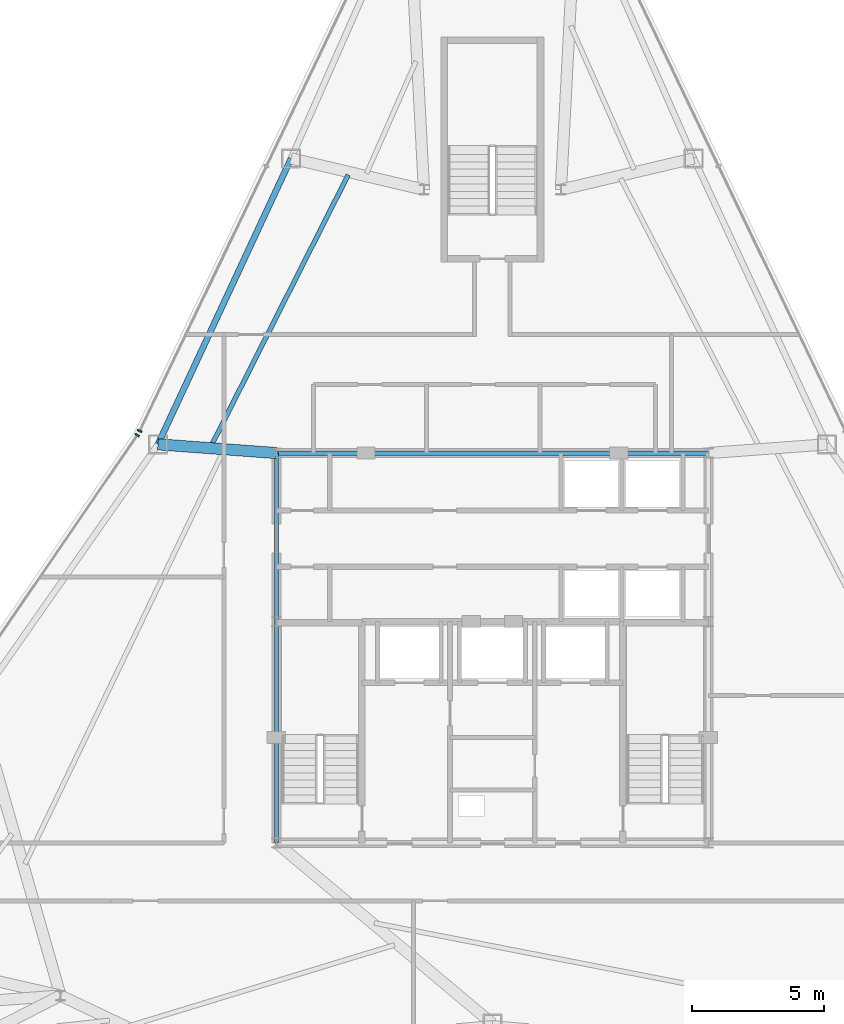
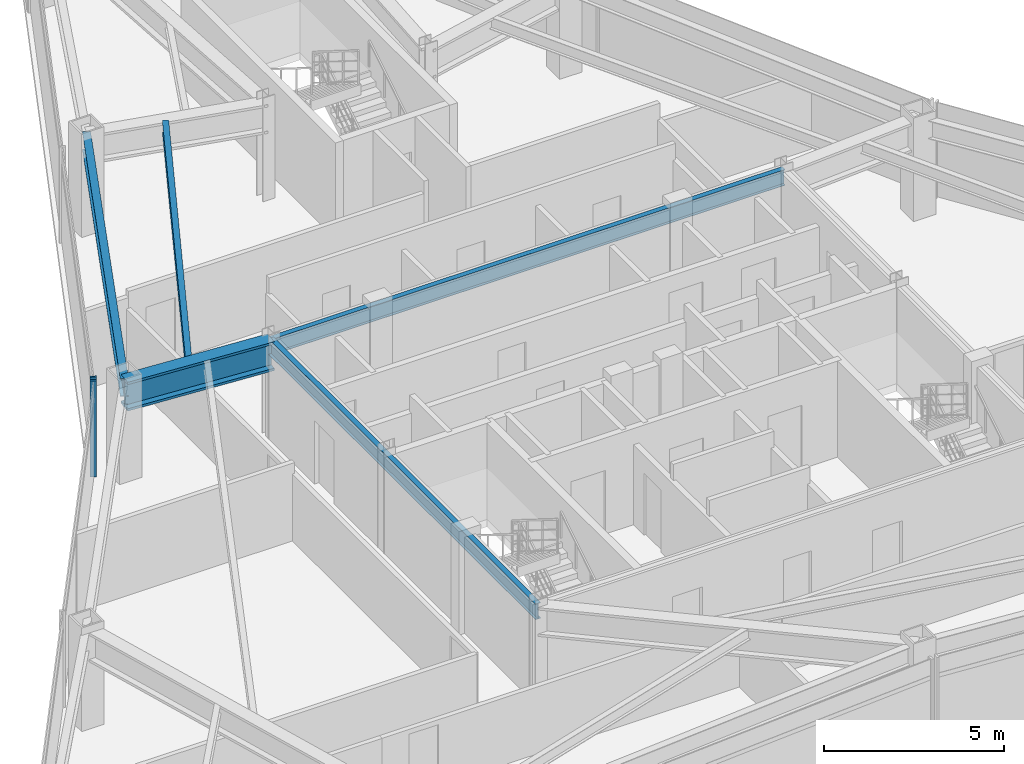
# One storey, part 5 of 12: 5 beams, 2 members, 2 elements without a shape of their own.
"""IFC4 building model written with IfcOpenShell, lengths in metres."""

from ifc_helpers import new_model, si_unit, direction, frame, origin, origin_2d, place, context, subcontext, project, spatial, rectangle, i_section, extrude, source, transform, mapped, material, layer, layer_set, material_profile, profile_set, type_object, type_shapes, element, aggregate, save


model = new_model("IFC4")

# Units and contexts
model_context = context("Model", 3, precision=1e-05, world=origin(), true_north=direction((0.0, 1.0)))
body_context = subcontext(model_context, "Body", "Model", "MODEL_VIEW")
ifc_project = project(units=[si_unit("LENGTHUNIT", "METRE"), si_unit("AREAUNIT", "SQUARE_METRE"), si_unit("VOLUMEUNIT", "CUBIC_METRE"), si_unit("PLANEANGLEUNIT", "RADIAN"), si_unit("MASSUNIT", "GRAM", prefix="KILO")], contexts=[model_context])

# Site, building, storey
site_placement = place(None, origin())
site = spatial("IfcSite", under=ifc_project, at=site_placement, CompositionType="ELEMENT")
building_placement = place(site_placement, origin())
building = spatial("IfcBuilding", under=site, at=building_placement, Name="Varakhsha Concourse Tower", CompositionType="ELEMENT")
storey_placement = place(building_placement, frame((0.0, 0.0, 222.39990234375)))
storey = spatial("IfcBuildingStorey", under=building, at=storey_placement, Name="L63", CompositionType="ELEMENT", Elevation=222.39990234375)

# Beams
ifc_material_1 = material(Name="Structural Steel ASTM A992 Grade 50", Category="steel")
ifc_material_profile_1 = material_profile(ifc_material_1, i_section(OverallWidth=0.177978515625, OverallDepth=0.406982421875, WebThickness=0.008056640625, FlangeThickness=0.012939453125, at=origin_2d()), Name="W16X40")
ifc_profile_set_1 = profile_set([ifc_material_profile_1], Name="Structural Steel ASTM A992 Grade 50")
beam_type_1 = type_object("IfcBeamType", Name="BM-JST-W16X40", PredefinedType="JOIST", material=ifc_profile_set_1)
beam_1_placement = place(storey_placement, frame((34.52587890625, 41.766845703125, 3.046630859375), z_axis=(-0.450981572497, -0.892533260595, 0.0), x_axis=(0.892533260595, -0.450981572497, 0.0)))
element("IfcBeam", 1, at=beam_1_placement, inside=storey, type_object=beam_type_1, Name="BM-TJST-L63-04", PredefinedType="JOIST", context=body_context, shape_type="SweptSolid", body=[
    extrude(i_section(OverallWidth=0.177978515625, OverallDepth=0.406982421875, WebThickness=0.008056640625, FlangeThickness=0.012939453125, at=origin_2d()), origin(), (0.0, 0.0, 1.0), 11.52099609375),
])
ifc_material_profile_2 = material_profile(ifc_material_1, i_section(OverallWidth=0.1669921875, OverallDepth=0.534912109375, WebThickness=0.010009765625, FlangeThickness=0.01708984375, at=origin_2d()), Name="W21X57")
ifc_profile_set_2 = profile_set([ifc_material_profile_2], Name="Structural Steel ASTM A992 Grade 50")
beam_type_2 = type_object("IfcBeamType", Name="BM-RAD-W21X57", PredefinedType="BEAM", material=ifc_profile_set_2)
beam_2_placement = place(storey_placement, frame((31.800048828125, 31.199951171875, 2.982666015625), z_axis=(1.0, 0.0, 0.0), x_axis=(0.0, 1.0, 0.0)))
element("IfcBeam", 2, at=beam_2_placement, inside=storey, type_object=beam_type_2, Name="BM-TCORE-L63-CN", PredefinedType="BEAM", context=body_context, shape_type="SweptSolid", body=[
    extrude(i_section(OverallWidth=0.1669921875, OverallDepth=0.534912109375, WebThickness=0.010009765625, FlangeThickness=0.01708984375, at=origin_2d()), origin(), (0.0, 0.0, 1.0), 16.39990234375),
])
beam_3_placement = place(storey_placement, frame((31.800048828125, 16.39990234375, 2.982666015625), z_axis=(0.0, 1.0, 0.0), x_axis=(-1.0, 0.0, 0.0)))
element("IfcBeam", 3, at=beam_3_placement, inside=storey, type_object=beam_type_2, Name="BM-TCORE-L63-CW", PredefinedType="BEAM", context=body_context, shape_type="SweptSolid", body=[
    extrude(i_section(OverallWidth=0.1669921875, OverallDepth=0.534912109375, WebThickness=0.010009765625, FlangeThickness=0.01708984375, at=origin_2d()), origin(), (0.0, 0.0, 1.0), 14.800048828125),
])
ifc_material_profile_3 = material_profile(ifc_material_1, i_section(OverallWidth=0.22900390625, OverallDepth=0.612060546875, WebThickness=0.011962890625, FlangeThickness=0.02001953125, at=origin_2d()), Name="W24X84")
ifc_profile_set_3 = profile_set([ifc_material_profile_3], Name="Structural Steel ASTM A992 Grade 50")
beam_type_3 = type_object("IfcBeamType", Name="BM-SPAN-W24X84", PredefinedType="SPANDREL", material=ifc_profile_set_3)
beam_4_placement = place(storey_placement, frame((32.356201171875, 42.3876953125, 2.944091796875), z_axis=(-0.422135313271, -0.90653283299, 0.0), x_axis=(0.90653283299, -0.422135313271, 0.0)))
element("IfcBeam", 4, at=beam_4_placement, inside=storey, type_object=beam_type_3, Name="BM-SPAN-L63-04", PredefinedType="SPANDREL", context=body_context, shape_type="SweptSolid", body=[
    extrude(i_section(OverallWidth=0.22900390625, OverallDepth=0.612060546875, WebThickness=0.011962890625, FlangeThickness=0.02001953125, at=origin_2d()), origin(), (0.0, 0.0, 1.0), 11.975341796875),
])
ifc_material_profile_4 = material_profile(ifc_material_1, i_section(OverallWidth=0.427978515625, OverallDepth=0.97509765625, WebThickness=0.050048828125, FlangeThickness=0.0810546875, at=origin_2d()), Name="W36X395")
ifc_profile_set_4 = profile_set([ifc_material_profile_4], Name="Structural Steel ASTM A992 Grade 50")
beam_type_4 = type_object("IfcBeamType", Name="BM-XFER-W36X395", PredefinedType="USERDEFINED", material=ifc_profile_set_4)
beam_5_placement = place(storey_placement, frame((31.800048828125, 31.199951171875, 2.7626953125), z_axis=(-0.9972917705, 0.073546750386, 0.0), x_axis=(-0.073546750386, -0.9972917705, 0.0)))
element("IfcBeam", 5, at=beam_5_placement, inside=storey, type_object=beam_type_4, Name="L63 Radial Floor Girder 05", ObjectType="GIRDER", PredefinedType="USERDEFINED", context=body_context, shape_type="SweptSolid", body=[
    extrude(i_section(OverallWidth=0.427978515625, OverallDepth=0.97509765625, WebThickness=0.050048828125, FlangeThickness=0.0810546875, at=origin_2d()), origin(), (0.0, 0.0, 1.0), 4.51123046875),
])

# Curtain wall, member
ifc_material_2 = material(Name="Anodised Bronze Architectural Aluminium AA 6063-T6", Category="aluminium")
ifc_layer = layer(ifc_material_2, 0.199951171875, Name="CW-SYS-05")
ifc_layer_set = layer_set([ifc_layer], Name="Anodised Bronze Architectural Aluminium AA 6063-T6")
curtain_wall_type = type_object("IfcCurtainWallType", Name="CW-SYS-05", PredefinedType="NOTDEFINED", material=ifc_layer_set)
curtain_wall_1_placement = place(storey_placement, origin())
curtain_wall_1 = element("IfcCurtainWall", 6, at=curtain_wall_1_placement, inside=storey, type_object=curtain_wall_type, Name="L63 Crystal Curtain Wall F2", PredefinedType="NOTDEFINED")
ifc_material_profile_5 = material_profile(ifc_material_2, rectangle(XDim=0.06494140625, YDim=0.179931640625, at=origin_2d()), Name="CWM-180X65")
ifc_profile_set_5 = profile_set([ifc_material_profile_5], Name="Anodised Bronze Architectural Aluminium AA 6063-T6")
member_type = type_object("IfcMemberType", Name="CWM-180X65", PredefinedType="MULLION", material=ifc_profile_set_5)
shared_shape = source(origin(), body_context, "Body", "SweptSolid", [
    extrude(rectangle(XDim=0.06494140625, YDim=0.179931640625, at=origin_2d()), origin(), (0.0, 0.0, 1.0), 3.25),
])
type_shapes(member_type, [shared_shape])
member_1_placement = place(storey_placement, frame((26.603515625, 32.040771484375, 0.0), z_axis=(0.0, 0.0, 1.0), x_axis=(0.431862228288, 0.901939585437, 0.0)))
member_1 = element("IfcMember", 7, at=member_1_placement, type_object=member_type, Name="CW-L63-F2 Mullion 00", PredefinedType="MULLION", context=body_context, shape_type="MappedRepresentation", body=[
    mapped(shared_shape, transform((0.0, 0.0, 0.0), scale=1.0)),
])
aggregate(curtain_wall_1, [member_1])

curtain_wall_2_placement = place(storey_placement, origin())
curtain_wall_2 = element("IfcCurtainWall", 8, at=curtain_wall_2_placement, inside=storey, type_object=curtain_wall_type, Name="L63 Crystal Curtain Wall F3", PredefinedType="NOTDEFINED")
member_2_placement = place(storey_placement, frame((26.511474609375, 31.88134765625, 0.0), z_axis=(0.0, 0.0, 1.0), x_axis=(0.565172919372, 0.82497246694, 0.0)))
member_2 = element("IfcMember", 9, at=member_2_placement, type_object=member_type, Name="CW-L63-F3 Mullion 02", PredefinedType="MULLION", context=body_context, shape_type="MappedRepresentation", body=[
    mapped(shared_shape, transform((0.0, 0.0, 0.0), scale=1.0)),
])
aggregate(curtain_wall_2, [member_2])

save(model, "model.ifc")
